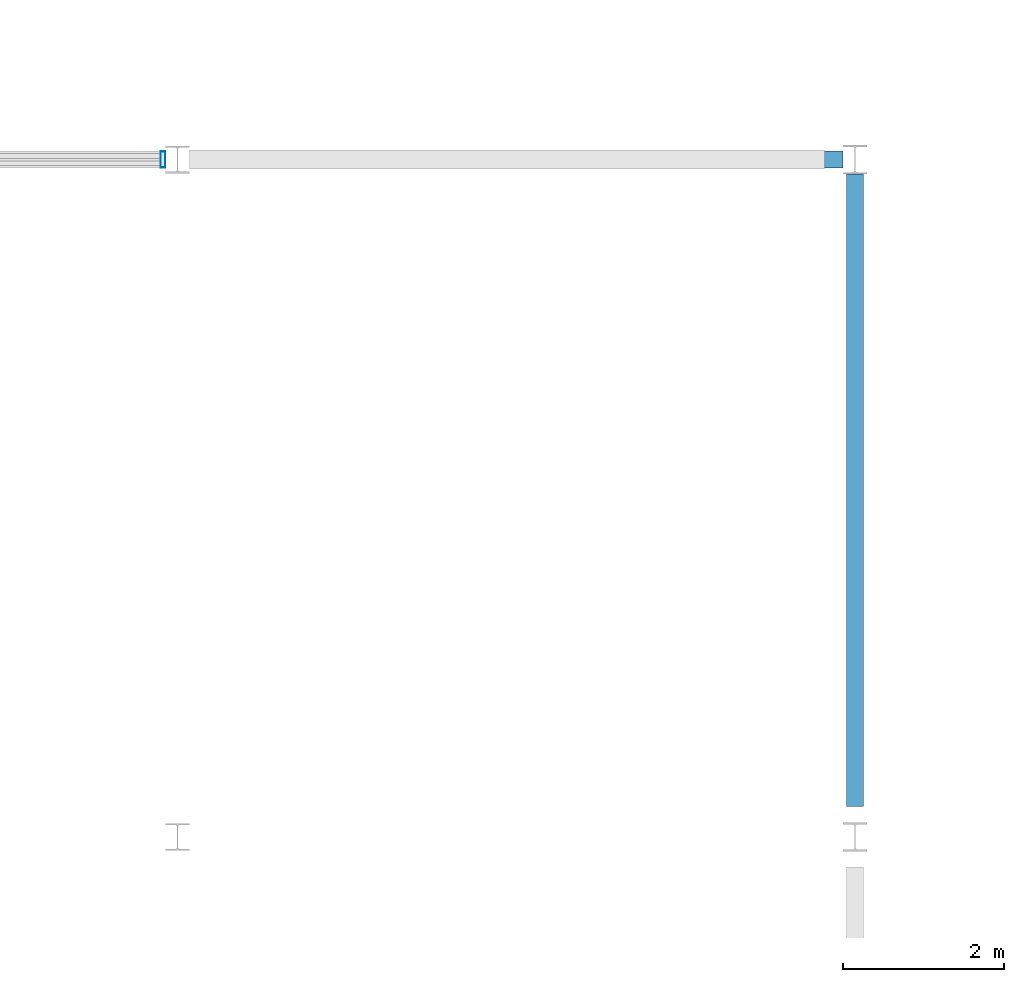
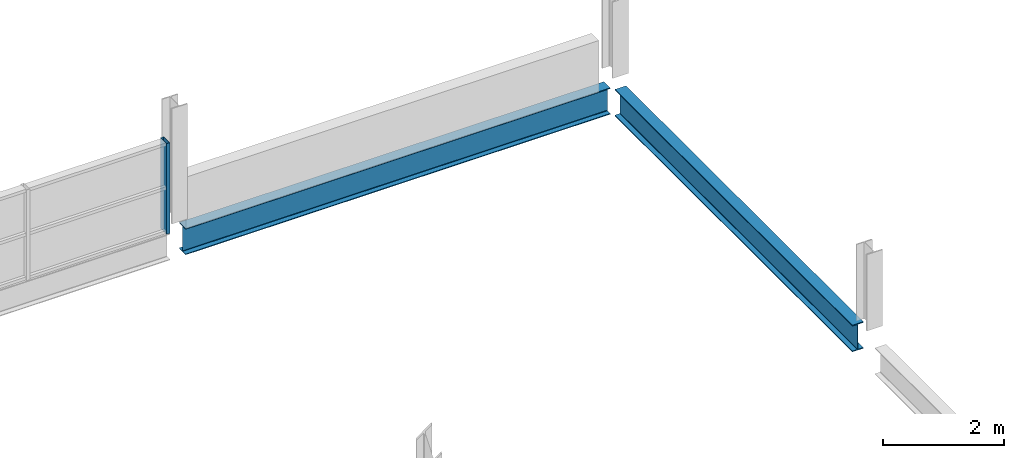
# One storey, part 16 of 43: 2 beams, 1 member, 1 element without a shape of its own.
"""IFC4 building model written with IfcOpenShell, lengths in metres."""

from ifc_helpers import new_model, si_unit, direction, frame, origin, origin_2d, place, context, subcontext, project, spatial, hollow_rectangle, i_section, extrude, material, material_profile, profile_set, type_object, element, aggregate, save


model = new_model("IFC4")

# Units and contexts
model_context = context("Model", 3, precision=1e-05, world=origin(), true_north=direction((0.0, 1.0)))
body_context = subcontext(model_context, "Body", "Model", "MODEL_VIEW")
ifc_project = project(units=[si_unit("LENGTHUNIT", "METRE"), si_unit("AREAUNIT", "SQUARE_METRE"), si_unit("VOLUMEUNIT", "CUBIC_METRE"), si_unit("PLANEANGLEUNIT", "RADIAN"), si_unit("MASSUNIT", "GRAM", prefix="KILO"), si_unit("THERMODYNAMICTEMPERATUREUNIT", "KELVIN")], contexts=[model_context])

# Site, building, storey
site_placement = place(None, origin())
site = spatial("IfcSite", under=ifc_project, at=site_placement, CompositionType="ELEMENT")
building_placement = place(site_placement, origin())
building = spatial("IfcBuilding", under=site, at=building_placement, Name="Nduvali Passage Aquatics Centre", CompositionType="ELEMENT")
storey_placement = place(building_placement, frame((0.0, 0.0, 17.39990234375)))
storey = spatial("IfcBuildingStorey", under=building, at=storey_placement, Name="L04", CompositionType="ELEMENT", Elevation=17.39990234375)

# Curtain wall, member
ifc_material_1 = material(Name="Aluminium EN AW-6063 T6", Category="aluminium")
curtain_wall_type = type_object("IfcCurtainWallType", Name="ENV-CW-DIVE", PredefinedType="NOTDEFINED", material=ifc_material_1)
curtain_wall_placement = place(storey_placement, origin())
curtain_wall = element("IfcCurtainWall", 1, at=curtain_wall_placement, inside=storey, type_object=curtain_wall_type, Name="L04 Diving Upper Mid Clerestory CW 162", PredefinedType="NOTDEFINED")
ifc_material_profile_1 = material_profile(ifc_material_1, hollow_rectangle(XDim=0.06005859375, YDim=0.199951171875, WallThickness=0.00390625, at=origin_2d()), Name="ALU MULLION 60x200x4")
ifc_profile_set_1 = profile_set([ifc_material_profile_1], Name="Aluminium EN AW-6063 T6")
member_type = type_object("IfcMemberType", Name="ENV-MEM-MUL80", PredefinedType="MULLION", material=ifc_profile_set_1)
member_placement = place(storey_placement, frame((16.6201171875, 84.0, -0.22998046875), z_axis=(0.0, 0.0, 1.0), x_axis=(1.0, 0.0, 0.0)))
member = element("IfcMember", 2, at=member_placement, type_object=member_type, Name="Diving Upper Mid Clerestory CW Mullion 4", PredefinedType="MULLION", context=body_context, shape_type="SweptSolid", body=[
    extrude(hollow_rectangle(XDim=0.06005859375, YDim=0.199951171875, WallThickness=0.00390625, at=origin_2d()), origin(), (0.0, 0.0, 1.0), 1.830078125),
])
aggregate(curtain_wall, [member])

# Beams
ifc_material_2 = material(Name="Steel S355", Category="steel")
ifc_material_profile_2 = material_profile(ifc_material_2, i_section(OverallWidth=0.210693359375, OverallDepth=0.53955078125, WebThickness=0.01171875, FlangeThickness=0.018798828125, FilletRadius=0.0126953125, at=origin_2d()), Name="UKB 533x210x109")
ifc_profile_set_2 = profile_set([ifc_material_profile_2], Name="Steel S355")
beam_type_1 = type_object("IfcBeamType", Name="STR-BM-UKB533-EXT", PredefinedType="BEAM", material=ifc_profile_set_2)
beam_1_placement = place(storey_placement, frame((25.199951171875, 75.97509765625, -0.503662109375), z_axis=(0.0, 1.0, 0.0), x_axis=(-1.0, 0.0, 0.0)))
element("IfcBeam", 3, at=beam_1_placement, inside=storey, type_object=beam_type_1, Name="L04 Primary Y-Girder B6E-1369", PredefinedType="BEAM", context=body_context, shape_type="SweptSolid", body=[
    extrude(i_section(OverallWidth=0.210693359375, OverallDepth=0.53955078125, WebThickness=0.01171875, FlangeThickness=0.018798828125, FilletRadius=0.0126953125, at=origin_2d()), origin(), (0.0, 0.0, 1.0), 7.844970703125),
])
ifc_material_profile_3 = material_profile(ifc_material_2, i_section(OverallWidth=0.209228515625, OverallDepth=0.533203125, WebThickness=0.010009765625, FlangeThickness=0.015625, FilletRadius=0.0126953125, at=origin_2d()), Name="UKB 533x210x92")
ifc_profile_set_3 = profile_set([ifc_material_profile_3], Name="Steel S355")
beam_type_2 = type_object("IfcBeamType", Name="STR-BM-UKB533L", PredefinedType="BEAM", material=ifc_profile_set_3)
beam_2_placement = place(storey_placement, frame((16.949951171875, 84.0, -0.50048828125), z_axis=(1.0, 0.0, 0.0), x_axis=(0.0, 1.0, 0.0)))
element("IfcBeam", 4, at=beam_2_placement, inside=storey, type_object=beam_type_2, Name="L04 Primary X-Girder B6A-1332", PredefinedType="BEAM", context=body_context, shape_type="SweptSolid", body=[
    extrude(i_section(OverallWidth=0.209228515625, OverallDepth=0.533203125, WebThickness=0.010009765625, FlangeThickness=0.015625, FilletRadius=0.0126953125, at=origin_2d()), origin(), (0.0, 0.0, 1.0), 8.10009765625),
])

save(model, "model.ifc")
